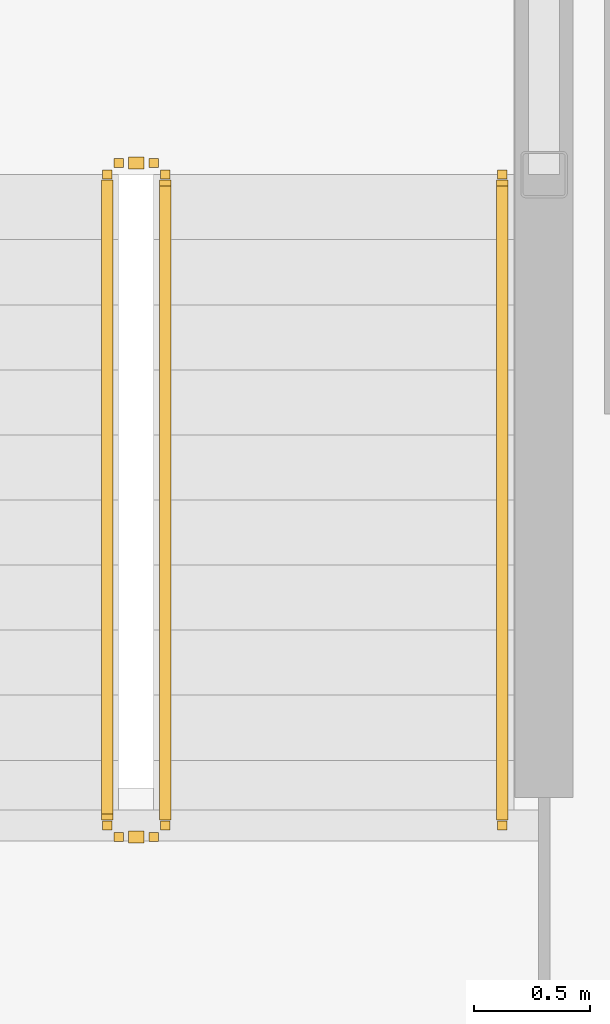
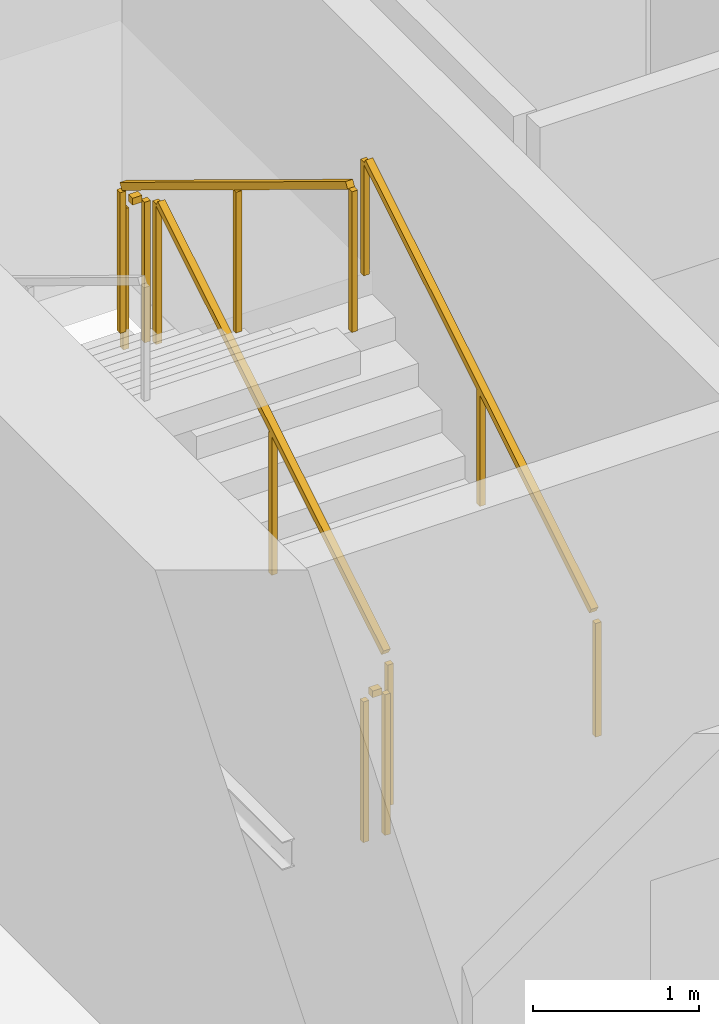
# One storey, part 17 of 20: 5 railings.
"""IFC4 building model written with IfcOpenShell, lengths in metres."""

from ifc_helpers import new_model, si_unit, direction, frame, origin, origin_2d, place, context, subcontext, project, spatial, rectangle, extrude, material, type_object, element, save


model = new_model("IFC4")

# Units and contexts
model_context = context("Model", 3, precision=1e-05, world=origin(), true_north=direction((0.0, 1.0)))
body_context = subcontext(model_context, "Body", "Model", "MODEL_VIEW")
ifc_project = project(units=[si_unit("LENGTHUNIT", "METRE"), si_unit("AREAUNIT", "SQUARE_METRE"), si_unit("VOLUMEUNIT", "CUBIC_METRE"), si_unit("PLANEANGLEUNIT", "RADIAN"), si_unit("MASSUNIT", "GRAM", prefix="KILO")], contexts=[model_context])

# Site, building, storey
site_placement = place(None, origin())
site = spatial("IfcSite", under=ifc_project, at=site_placement, CompositionType="ELEMENT")
building_placement = place(site_placement, origin())
building = spatial("IfcBuilding", under=site, at=building_placement, Name="Kazma Halo Residences", CompositionType="ELEMENT")
storey_placement = place(building_placement, frame((0.0, 0.0, 135.300048828125)))
storey = spatial("IfcBuildingStorey", under=building, at=storey_placement, Name="L33", CompositionType="ELEMENT", Elevation=135.300048828125)

# Railings
ifc_material_1 = material(Name="Painted Steel S355", Category="steel")
railing_type_1 = type_object("IfcRailingType", Name="RLG-STAIR-GRD-1100", PredefinedType="GUARDRAIL", material=ifc_material_1)
railing_1_placement = place(storey_placement, frame((39.550048828125, 39.949951171875, 0.17041015625)))
element("IfcRailing", 1, at=railing_1_placement, inside=storey, type_object=railing_type_1, Name="L33 ST-01 stair guard 1", PredefinedType="GUARDRAIL", context=body_context, shape_type="SweptSolid", body=[
    extrude(rectangle(XDim=0.050048828125, YDim=0.050048828125, at=origin_2d()), frame((0.0, 0.036376953125, 1.09716796875), z_axis=(0.0, 0.854169791009, 0.51999420009), x_axis=(-1.0, 0.0, 0.0)), (0.0, 0.0, 1.0), 3.193115234375),
    extrude(rectangle(XDim=0.0400390625, YDim=0.0400390625, at=origin_2d()), origin(), (0.0, 0.0, 1.0), 1.0380859375),
    extrude(rectangle(XDim=0.0400390625, YDim=0.0400390625, at=origin_2d()), frame((0.0, 1.39990234375, 0.852294921875)), (0.0, 0.0, 1.0), 1.0380859375),
    extrude(rectangle(XDim=0.0400390625, YDim=0.0400390625, at=origin_2d()), frame((0.0, 2.800048828125, 1.70458984375)), (0.0, 0.0, 1.0), 1.0380859375),
])
railing_2_placement = place(storey_placement, frame((39.5, 42.800048828125, 1.875)))
element("IfcRailing", 2, at=railing_2_placement, inside=storey, type_object=railing_type_1, Name="L33 ST-01 stair guard 2", PredefinedType="GUARDRAIL", context=body_context, shape_type="SweptSolid", body=[
    extrude(rectangle(XDim=0.050048828125, YDim=0.050048828125, at=origin_2d()), frame((-0.04248046875, 0.0, 1.0751953125), z_axis=(-1.0, 0.0, 0.0), x_axis=(0.0, -1.0, 0.0)), (0.0, 0.0, 1.0), 0.06494140625),
    extrude(rectangle(XDim=0.0400390625, YDim=0.0400390625, at=origin_2d()), origin(), (0.0, 0.0, 1.0), 1.0380859375),
    extrude(rectangle(XDim=0.0400390625, YDim=0.0400390625, at=origin_2d()), frame((-0.14990234375, 0.0, 0.0)), (0.0, 0.0, 1.0), 1.0380859375),
])
railing_3_placement = place(storey_placement, frame((39.300048828125, 42.75, 2.04541015625)))
element("IfcRailing", 3, at=railing_3_placement, inside=storey, type_object=railing_type_1, Name="L33 ST-01 stair guard 3", PredefinedType="GUARDRAIL", context=body_context, shape_type="SweptSolid", body=[
    extrude(rectangle(XDim=0.050048828125, YDim=0.050048828125, at=origin_2d()), frame((0.0, -0.036376953125, 1.09716796875), z_axis=(0.0, -0.854169791009, 0.51999420009), x_axis=(1.0, 0.0, 0.0)), (0.0, 0.0, 1.0), 3.193115234375),
    extrude(rectangle(XDim=0.0400390625, YDim=0.0400390625, at=origin_2d()), origin(), (0.0, 0.0, 1.0), 1.0380859375),
    extrude(rectangle(XDim=0.0400390625, YDim=0.0400390625, at=origin_2d()), frame((0.0, -1.39990234375, 0.852294921875)), (0.0, 0.0, 1.0), 1.0380859375),
    extrude(rectangle(XDim=0.0400390625, YDim=0.0400390625, at=origin_2d()), frame((0.0, -2.800048828125, 1.70458984375)), (0.0, 0.0, 1.0), 1.0380859375),
])
railing_4_placement = place(storey_placement, frame((39.5, 39.89990234375, 0.0)))
element("IfcRailing", 4, at=railing_4_placement, inside=storey, type_object=railing_type_1, Name="L33 ST-01 stair guard 4", PredefinedType="GUARDRAIL", context=body_context, shape_type="SweptSolid", body=[
    extrude(rectangle(XDim=0.050048828125, YDim=0.050048828125, at=origin_2d()), frame((-0.04248046875, 0.0, 1.0751953125), z_axis=(-1.0, 0.0, 0.0), x_axis=(0.0, -1.0, 0.0)), (0.0, 0.0, 1.0), 0.06494140625),
    extrude(rectangle(XDim=0.0400390625, YDim=0.0400390625, at=origin_2d()), origin(), (0.0, 0.0, 1.0), 1.0380859375),
    extrude(rectangle(XDim=0.0400390625, YDim=0.0400390625, at=origin_2d()), frame((-0.14990234375, 0.0, 0.0)), (0.0, 0.0, 1.0), 1.0380859375),
])
ifc_material_2 = material(Name="Brushed Stainless Steel", Category="steel")
railing_type_2 = type_object("IfcRailingType", Name="RLG-STAIR-HND-900", PredefinedType="HANDRAIL", material=ifc_material_2)
railing_5_placement = place(storey_placement, frame((41.0, 39.949951171875, 0.17041015625)))
element("IfcRailing", 5, at=railing_5_placement, inside=storey, type_object=railing_type_2, Name="L33 ST-01 stair handrail 1", PredefinedType="HANDRAIL", context=body_context, shape_type="SweptSolid", body=[
    extrude(rectangle(XDim=0.050048828125, YDim=0.050048828125, at=origin_2d()), frame((0.0, 0.036376953125, 0.89697265625), z_axis=(0.0, 0.854169791009, 0.51999420009), x_axis=(-1.0, 0.0, 0.0)), (0.0, 0.0, 1.0), 3.193115234375),
    extrude(rectangle(XDim=0.0400390625, YDim=0.0400390625, at=origin_2d()), origin(), (0.0, 0.0, 1.0), 0.837890625),
    extrude(rectangle(XDim=0.0400390625, YDim=0.0400390625, at=origin_2d()), frame((0.0, 1.39990234375, 0.852294921875)), (0.0, 0.0, 1.0), 0.837890625),
    extrude(rectangle(XDim=0.0400390625, YDim=0.0400390625, at=origin_2d()), frame((0.0, 2.800048828125, 1.70458984375)), (0.0, 0.0, 1.0), 0.837890625),
])

save(model, "model.ifc")
